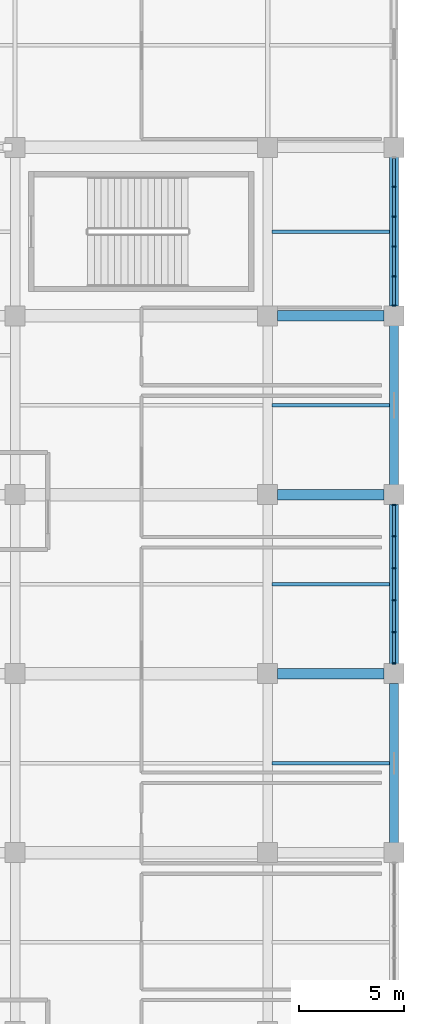
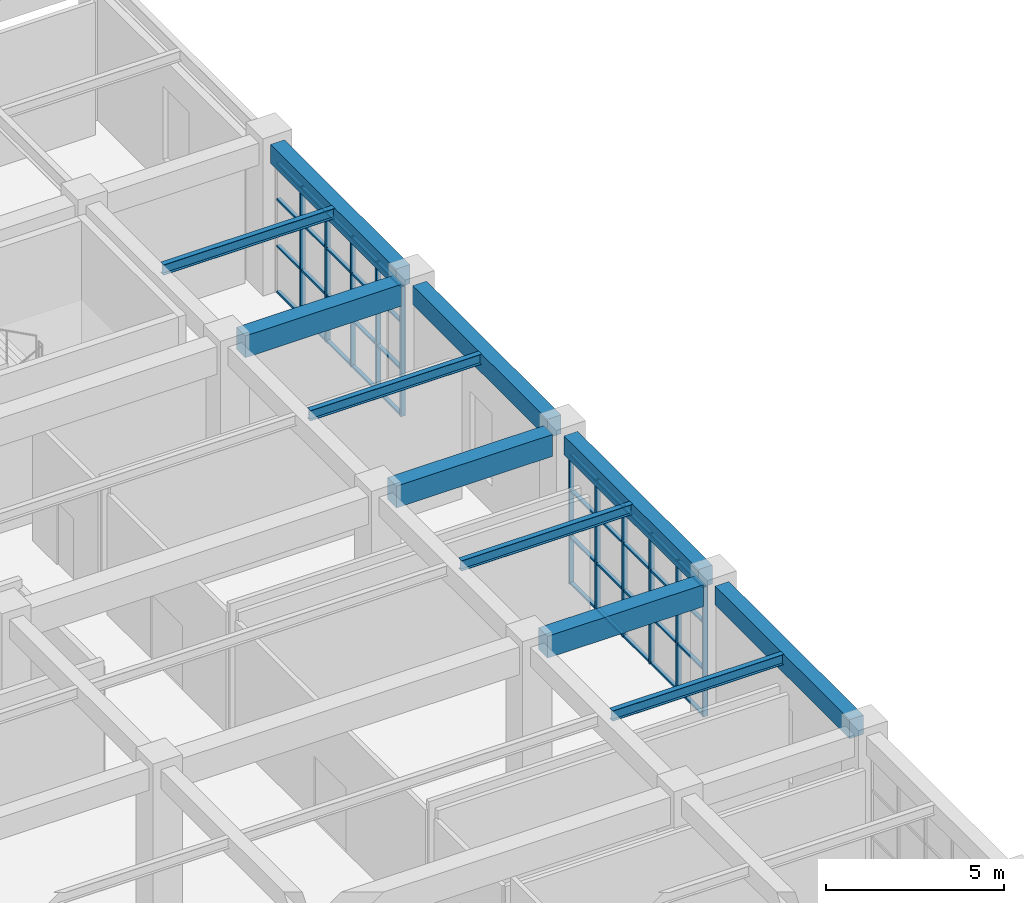
# One storey, part 53 of 120: 51 members, 11 beams, 2 elements without a shape of their own.
"""IFC4 building model written with IfcOpenShell, lengths in metres."""

from ifc_helpers import new_model, si_unit, direction, frame, origin, origin_2d, place, context, subcontext, project, spatial, rectangle, i_section, extrude, material, material_profile, profile_set, type_object, element, aggregate, save


model = new_model("IFC4")

# Units and contexts
model_context = context("Model", 3, precision=1e-05, world=origin(), true_north=direction((0.0, 1.0)))
body_context = subcontext(model_context, "Body", "Model", "MODEL_VIEW")
ifc_project = project(units=[si_unit("LENGTHUNIT", "METRE"), si_unit("AREAUNIT", "SQUARE_METRE"), si_unit("VOLUMEUNIT", "CUBIC_METRE"), si_unit("PLANEANGLEUNIT", "RADIAN"), si_unit("MASSUNIT", "GRAM", prefix="KILO")], contexts=[model_context])

# Site, building, storey
site_placement = place(None, origin())
site = spatial("IfcSite", under=ifc_project, at=site_placement, CompositionType="ELEMENT")
building_placement = place(site_placement, origin())
building = spatial("IfcBuilding", under=site, at=building_placement, Name="Cuetzalor Civic Arena", CompositionType="ELEMENT")
storey_placement = place(building_placement, frame((0.0, 0.0, 6.0)))
storey = spatial("IfcBuildingStorey", under=building, at=storey_placement, Name="L01", CompositionType="ELEMENT", Elevation=6.0)

# Beams
ifc_material_1 = material(Name="Concrete C40/50", Category="concrete")
ifc_material_profile_1 = material_profile(ifc_material_1, rectangle(XDim=0.5, YDim=0.75, at=origin_2d()), Name="RC 500x750")
ifc_profile_set_1 = profile_set([ifc_material_profile_1], Name="Concrete C40/50")
beam_type_1 = type_object("IfcBeamType", Name="ConcreteFrameBeam_500x750", PredefinedType="BEAM", material=ifc_profile_set_1)
for number, where, z_axis, x_axis, name in (
    (1, (76.465087890625, 0.0, 4.7451171875), (1.0, 0.0, 0.0), (0.0, 1.0, 0.0), "Frame Girder V4E-L01-X0446"),
    (2, (76.465087890625, 8.5, 4.7451171875), (1.0, 0.0, 0.0), (0.0, 1.0, 0.0), "Frame Girder V4E-L01-X0449"),
    (3, (76.465087890625, 17.0, 4.7451171875), (1.0, 0.0, 0.0), (0.0, 1.0, 0.0), "Frame Girder V4E-L01-X0452"),
):
    element("IfcBeam", number, at=place(storey_placement, frame(where, z_axis=z_axis, x_axis=x_axis)), inside=storey, type_object=beam_type_1, Name=name, PredefinedType="BEAM", context=body_context, shape_type="SweptSolid", body=[
        extrude(rectangle(XDim=0.5, YDim=0.75, at=origin_2d()), origin(), (0.0, 0.0, 1.0), 5.06982421875),
    ])
ifc_material_2 = material(Name="Concrete C40/50", Category="concrete")
ifc_material_profile_2 = material_profile(ifc_material_2, rectangle(XDim=0.449951171875, YDim=0.64990234375, at=origin_2d()), Name="RC 450x650")
ifc_profile_set_2 = profile_set([ifc_material_profile_2], Name="Concrete C40/50")
beam_type_2 = type_object("IfcBeamType", Name="ConcreteTieBeam_450x650", PredefinedType="BEAM", material=ifc_profile_set_2)
for number, where, z_axis, x_axis, name in (
    (4, (82.0, -8.034912109375, 4.794921875), (0.0, 1.0, 0.0), (-1.0, 0.0, 0.0), "Frame Girder V4E-L01-Y0496"),
    (5, (82.0, 0.465087890625, 4.794921875), (0.0, 1.0, 0.0), (-1.0, 0.0, 0.0), "Frame Girder V4E-L01-Y0497"),
    (6, (82.0, 8.965087890625, 4.794921875), (0.0, 1.0, 0.0), (-1.0, 0.0, 0.0), "Frame Girder V4E-L01-Y0498"),
):
    element("IfcBeam", number, at=place(storey_placement, frame(where, z_axis=z_axis, x_axis=x_axis)), inside=storey, type_object=beam_type_2, Name=name, PredefinedType="BEAM", context=body_context, shape_type="SweptSolid", body=[
        extrude(rectangle(XDim=0.449951171875, YDim=0.64990234375, at=origin_2d()), origin(), (0.0, 0.0, 1.0), 7.56982421875),
    ])
beam_placement = place(storey_placement, frame((82.0, 17.465087890625, 4.794921875), z_axis=(0.0, 1.0, 0.0), x_axis=(-1.0, 0.0, 0.0)))
element("IfcBeam", 7, at=beam_placement, inside=storey, type_object=beam_type_2, Name="Frame Girder V4E-L01-Y0499", PredefinedType="BEAM", context=body_context, shape_type="SweptSolid", body=[
    extrude(rectangle(XDim=0.449951171875, YDim=0.64990234375, at=origin_2d()), origin(), (0.0, 0.0, 1.0), 7.06982421875),
])

# Curtain wall, members
ifc_material_3 = material(Name="Anodised dark bronze aluminium and low-E solar glass", Category="aluminium")
curtain_wall_type_1 = type_object("IfcCurtainWallType", Name="UnitisedCW_7600x4450", PredefinedType="USERDEFINED", material=ifc_material_3)
curtain_wall_1_placement = place(storey_placement, origin())
curtain_wall_1 = element("IfcCurtainWall", 8, at=curtain_wall_1_placement, inside=storey, type_object=curtain_wall_type_1, Name="V4E Suite Viewing Curtain Wall L01-138", ObjectType="UNITISED CURTAIN WALL", PredefinedType="USERDEFINED")
ifc_material_4 = material(Name="Anodised dark bronze aluminium", Category="aluminium")
ifc_material_profile_3 = material_profile(ifc_material_4, rectangle(XDim=0.06494140625, YDim=0.14990234375, at=origin_2d()), Name="ALU MULLION 65x150")
ifc_profile_set_3 = profile_set([ifc_material_profile_3], Name="Anodised dark bronze aluminium")
member_type_1 = type_object("IfcMemberType", Name="CurtainWallMullion_60x150", PredefinedType="MULLION", material=ifc_profile_set_3)
member_1_placement = place(storey_placement, frame((82.0, 8.010498046875, 0.0), z_axis=(0.0, 0.0, 1.0), x_axis=(0.0, -1.0, 0.0)))
member_1 = element("IfcMember", 9, at=member_1_placement, type_object=member_type_1, Name="CW-38 mullion 1", PredefinedType="MULLION", context=body_context, shape_type="SweptSolid", body=[
    extrude(rectangle(XDim=0.06494140625, YDim=0.14990234375, at=origin_2d()), origin(), (0.0, 0.0, 1.0), 4.4599609375),
])
member_2_placement = place(storey_placement, frame((82.0, 6.52587890625, 0.0), z_axis=(0.0, 0.0, 1.0), x_axis=(0.0, -1.0, 0.0)))
member_2 = element("IfcMember", 10, at=member_2_placement, type_object=member_type_1, Name="CW-38 mullion 2", PredefinedType="MULLION", context=body_context, shape_type="SweptSolid", body=[
    extrude(rectangle(XDim=0.06494140625, YDim=0.14990234375, at=origin_2d()), origin(), (0.0, 0.0, 1.0), 4.4599609375),
])
member_3_placement = place(storey_placement, frame((82.0, 5.008544921875, 0.0), z_axis=(0.0, 0.0, 1.0), x_axis=(0.0, -1.0, 0.0)))
member_3 = element("IfcMember", 11, at=member_3_placement, type_object=member_type_1, Name="CW-38 mullion 3", PredefinedType="MULLION", context=body_context, shape_type="SweptSolid", body=[
    extrude(rectangle(XDim=0.06494140625, YDim=0.14990234375, at=origin_2d()), origin(), (0.0, 0.0, 1.0), 4.4599609375),
])
member_4_placement = place(storey_placement, frame((82.0, 3.491455078125, 0.0), z_axis=(0.0, 0.0, 1.0), x_axis=(0.0, -1.0, 0.0)))
member_4 = element("IfcMember", 12, at=member_4_placement, type_object=member_type_1, Name="CW-38 mullion 4", PredefinedType="MULLION", context=body_context, shape_type="SweptSolid", body=[
    extrude(rectangle(XDim=0.06494140625, YDim=0.14990234375, at=origin_2d()), origin(), (0.0, 0.0, 1.0), 4.4599609375),
])
member_5_placement = place(storey_placement, frame((82.0, 1.97412109375, 0.0), z_axis=(0.0, 0.0, 1.0), x_axis=(0.0, -1.0, 0.0)))
member_5 = element("IfcMember", 13, at=member_5_placement, type_object=member_type_1, Name="CW-38 mullion 5", PredefinedType="MULLION", context=body_context, shape_type="SweptSolid", body=[
    extrude(rectangle(XDim=0.06494140625, YDim=0.14990234375, at=origin_2d()), origin(), (0.0, 0.0, 1.0), 4.4599609375),
])
member_6_placement = place(storey_placement, frame((82.0, 0.489501953125, 0.0), z_axis=(0.0, 0.0, 1.0), x_axis=(0.0, -1.0, 0.0)))
member_6 = element("IfcMember", 14, at=member_6_placement, type_object=member_type_1, Name="CW-38 mullion 6", PredefinedType="MULLION", context=body_context, shape_type="SweptSolid", body=[
    extrude(rectangle(XDim=0.06494140625, YDim=0.14990234375, at=origin_2d()), origin(), (0.0, 0.0, 1.0), 4.4599609375),
])

ifc_material_5 = material(Name="Anodised dark bronze aluminium and low-E solar glass", Category="aluminium")
curtain_wall_type_2 = type_object("IfcCurtainWallType", Name="UnitisedCW_7100x4450", PredefinedType="USERDEFINED", material=ifc_material_5)
curtain_wall_2_placement = place(storey_placement, origin())
curtain_wall_2 = element("IfcCurtainWall", 15, at=curtain_wall_2_placement, inside=storey, type_object=curtain_wall_type_2, Name="V4E Suite Viewing Curtain Wall L01-139", ObjectType="UNITISED CURTAIN WALL", PredefinedType="USERDEFINED")
member_7_placement = place(storey_placement, frame((82.0, 23.125732421875, 0.0), z_axis=(0.0, 0.0, 1.0), x_axis=(0.0, -1.0, 0.0)))
member_7 = element("IfcMember", 16, at=member_7_placement, type_object=member_type_1, Name="CW-39 mullion 2", PredefinedType="MULLION", context=body_context, shape_type="SweptSolid", body=[
    extrude(rectangle(XDim=0.06494140625, YDim=0.14990234375, at=origin_2d()), origin(), (0.0, 0.0, 1.0), 4.4599609375),
])
member_8_placement = place(storey_placement, frame((82.0, 21.70849609375, 0.0), z_axis=(0.0, 0.0, 1.0), x_axis=(0.0, -1.0, 0.0)))
member_8 = element("IfcMember", 17, at=member_8_placement, type_object=member_type_1, Name="CW-39 mullion 3", PredefinedType="MULLION", context=body_context, shape_type="SweptSolid", body=[
    extrude(rectangle(XDim=0.06494140625, YDim=0.14990234375, at=origin_2d()), origin(), (0.0, 0.0, 1.0), 4.4599609375),
])
member_9_placement = place(storey_placement, frame((82.0, 20.29150390625, 0.0), z_axis=(0.0, 0.0, 1.0), x_axis=(0.0, -1.0, 0.0)))
member_9 = element("IfcMember", 18, at=member_9_placement, type_object=member_type_1, Name="CW-39 mullion 4", PredefinedType="MULLION", context=body_context, shape_type="SweptSolid", body=[
    extrude(rectangle(XDim=0.06494140625, YDim=0.14990234375, at=origin_2d()), origin(), (0.0, 0.0, 1.0), 4.4599609375),
])
member_10_placement = place(storey_placement, frame((82.0, 18.874267578125, 0.0), z_axis=(0.0, 0.0, 1.0), x_axis=(0.0, -1.0, 0.0)))
member_10 = element("IfcMember", 19, at=member_10_placement, type_object=member_type_1, Name="CW-39 mullion 5", PredefinedType="MULLION", context=body_context, shape_type="SweptSolid", body=[
    extrude(rectangle(XDim=0.06494140625, YDim=0.14990234375, at=origin_2d()), origin(), (0.0, 0.0, 1.0), 4.4599609375),
])
member_11_placement = place(storey_placement, frame((82.0, 17.489501953125, 0.0), z_axis=(0.0, 0.0, 1.0), x_axis=(0.0, -1.0, 0.0)))
member_11 = element("IfcMember", 20, at=member_11_placement, type_object=member_type_1, Name="CW-39 mullion 6", PredefinedType="MULLION", context=body_context, shape_type="SweptSolid", body=[
    extrude(rectangle(XDim=0.06494140625, YDim=0.14990234375, at=origin_2d()), origin(), (0.0, 0.0, 1.0), 4.4599609375),
])

# Member
ifc_material_6 = material(Name="Anodised dark bronze aluminium", Category="aluminium")
ifc_material_profile_4 = material_profile(ifc_material_6, rectangle(XDim=0.1201171875, YDim=0.06494140625, at=origin_2d()), Name="ALU TRANSOM 65x120")
ifc_profile_set_4 = profile_set([ifc_material_profile_4], Name="Anodised dark bronze aluminium")
member_type_2 = type_object("IfcMemberType", Name="CurtainWallTransom_60x120", PredefinedType="USERDEFINED", material=ifc_profile_set_4)
member_12_placement = place(storey_placement, frame((82.0, 7.97802734375, 0.032470703125), z_axis=(0.0, -1.0, 0.0), x_axis=(1.0, 0.0, 0.0)))
member_12 = element("IfcMember", 21, at=member_12_placement, type_object=member_type_2, Name="CW-38 transom 1.1", ObjectType="TRANSOM", PredefinedType="USERDEFINED", context=body_context, shape_type="SweptSolid", body=[
    extrude(rectangle(XDim=0.1201171875, YDim=0.06494140625, at=origin_2d()), origin(), (0.0, 0.0, 1.0), 1.419677734375),
])

member_13_placement = place(storey_placement, frame((82.0, 7.97802734375, 1.60595703125), z_axis=(0.0, -1.0, 0.0), x_axis=(1.0, 0.0, 0.0)))
member_13 = element("IfcMember", 22, at=member_13_placement, type_object=member_type_2, Name="CW-38 transom 1.2", ObjectType="TRANSOM", PredefinedType="USERDEFINED", context=body_context, shape_type="SweptSolid", body=[
    extrude(rectangle(XDim=0.1201171875, YDim=0.06494140625, at=origin_2d()), origin(), (0.0, 0.0, 1.0), 1.419677734375),
])

member_14_placement = place(storey_placement, frame((82.0, 7.97802734375, 3.2109375), z_axis=(0.0, -1.0, 0.0), x_axis=(1.0, 0.0, 0.0)))
member_14 = element("IfcMember", 23, at=member_14_placement, type_object=member_type_2, Name="CW-38 transom 1.3", ObjectType="TRANSOM", PredefinedType="USERDEFINED", context=body_context, shape_type="SweptSolid", body=[
    extrude(rectangle(XDim=0.1201171875, YDim=0.06494140625, at=origin_2d()), origin(), (0.0, 0.0, 1.0), 1.419677734375),
])

member_15_placement = place(storey_placement, frame((82.0, 7.97802734375, 4.427490234375), z_axis=(0.0, -1.0, 0.0), x_axis=(1.0, 0.0, 0.0)))
member_15 = element("IfcMember", 24, at=member_15_placement, type_object=member_type_2, Name="CW-38 transom 1.4", ObjectType="TRANSOM", PredefinedType="USERDEFINED", context=body_context, shape_type="SweptSolid", body=[
    extrude(rectangle(XDim=0.1201171875, YDim=0.06494140625, at=origin_2d()), origin(), (0.0, 0.0, 1.0), 1.419677734375),
])

member_16_placement = place(storey_placement, frame((82.0, 6.493408203125, 0.032470703125), z_axis=(0.0, -1.0, 0.0), x_axis=(1.0, 0.0, 0.0)))
member_16 = element("IfcMember", 25, at=member_16_placement, type_object=member_type_2, Name="CW-38 transom 2.1", ObjectType="TRANSOM", PredefinedType="USERDEFINED", context=body_context, shape_type="SweptSolid", body=[
    extrude(rectangle(XDim=0.1201171875, YDim=0.06494140625, at=origin_2d()), origin(), (0.0, 0.0, 1.0), 1.452392578125),
])

member_17_placement = place(storey_placement, frame((82.0, 6.493408203125, 1.60595703125), z_axis=(0.0, -1.0, 0.0), x_axis=(1.0, 0.0, 0.0)))
member_17 = element("IfcMember", 26, at=member_17_placement, type_object=member_type_2, Name="CW-38 transom 2.2", ObjectType="TRANSOM", PredefinedType="USERDEFINED", context=body_context, shape_type="SweptSolid", body=[
    extrude(rectangle(XDim=0.1201171875, YDim=0.06494140625, at=origin_2d()), origin(), (0.0, 0.0, 1.0), 1.452392578125),
])

member_18_placement = place(storey_placement, frame((82.0, 6.493408203125, 3.2109375), z_axis=(0.0, -1.0, 0.0), x_axis=(1.0, 0.0, 0.0)))
member_18 = element("IfcMember", 27, at=member_18_placement, type_object=member_type_2, Name="CW-38 transom 2.3", ObjectType="TRANSOM", PredefinedType="USERDEFINED", context=body_context, shape_type="SweptSolid", body=[
    extrude(rectangle(XDim=0.1201171875, YDim=0.06494140625, at=origin_2d()), origin(), (0.0, 0.0, 1.0), 1.452392578125),
])

member_19_placement = place(storey_placement, frame((82.0, 6.493408203125, 4.427490234375), z_axis=(0.0, -1.0, 0.0), x_axis=(1.0, 0.0, 0.0)))
member_19 = element("IfcMember", 28, at=member_19_placement, type_object=member_type_2, Name="CW-38 transom 2.4", ObjectType="TRANSOM", PredefinedType="USERDEFINED", context=body_context, shape_type="SweptSolid", body=[
    extrude(rectangle(XDim=0.1201171875, YDim=0.06494140625, at=origin_2d()), origin(), (0.0, 0.0, 1.0), 1.452392578125),
])

member_20_placement = place(storey_placement, frame((82.0, 4.97607421875, 0.032470703125), z_axis=(0.0, -1.0, 0.0), x_axis=(1.0, 0.0, 0.0)))
member_20 = element("IfcMember", 29, at=member_20_placement, type_object=member_type_2, Name="CW-38 transom 3.1", ObjectType="TRANSOM", PredefinedType="USERDEFINED", context=body_context, shape_type="SweptSolid", body=[
    extrude(rectangle(XDim=0.1201171875, YDim=0.06494140625, at=origin_2d()), origin(), (0.0, 0.0, 1.0), 1.4521484375),
])

member_21_placement = place(storey_placement, frame((82.0, 4.97607421875, 1.60595703125), z_axis=(0.0, -1.0, 0.0), x_axis=(1.0, 0.0, 0.0)))
member_21 = element("IfcMember", 30, at=member_21_placement, type_object=member_type_2, Name="CW-38 transom 3.2", ObjectType="TRANSOM", PredefinedType="USERDEFINED", context=body_context, shape_type="SweptSolid", body=[
    extrude(rectangle(XDim=0.1201171875, YDim=0.06494140625, at=origin_2d()), origin(), (0.0, 0.0, 1.0), 1.4521484375),
])

member_22_placement = place(storey_placement, frame((82.0, 4.97607421875, 3.2109375), z_axis=(0.0, -1.0, 0.0), x_axis=(1.0, 0.0, 0.0)))
member_22 = element("IfcMember", 31, at=member_22_placement, type_object=member_type_2, Name="CW-38 transom 3.3", ObjectType="TRANSOM", PredefinedType="USERDEFINED", context=body_context, shape_type="SweptSolid", body=[
    extrude(rectangle(XDim=0.1201171875, YDim=0.06494140625, at=origin_2d()), origin(), (0.0, 0.0, 1.0), 1.4521484375),
])

member_23_placement = place(storey_placement, frame((82.0, 4.97607421875, 4.427490234375), z_axis=(0.0, -1.0, 0.0), x_axis=(1.0, 0.0, 0.0)))
member_23 = element("IfcMember", 32, at=member_23_placement, type_object=member_type_2, Name="CW-38 transom 3.4", ObjectType="TRANSOM", PredefinedType="USERDEFINED", context=body_context, shape_type="SweptSolid", body=[
    extrude(rectangle(XDim=0.1201171875, YDim=0.06494140625, at=origin_2d()), origin(), (0.0, 0.0, 1.0), 1.4521484375),
])

member_24_placement = place(storey_placement, frame((82.0, 3.458984375, 0.032470703125), z_axis=(0.0, -1.0, 0.0), x_axis=(1.0, 0.0, 0.0)))
member_24 = element("IfcMember", 33, at=member_24_placement, type_object=member_type_2, Name="CW-38 transom 4.1", ObjectType="TRANSOM", PredefinedType="USERDEFINED", context=body_context, shape_type="SweptSolid", body=[
    extrude(rectangle(XDim=0.1201171875, YDim=0.06494140625, at=origin_2d()), origin(), (0.0, 0.0, 1.0), 1.452392578125),
])

member_25_placement = place(storey_placement, frame((82.0, 3.458984375, 1.60595703125), z_axis=(0.0, -1.0, 0.0), x_axis=(1.0, 0.0, 0.0)))
member_25 = element("IfcMember", 34, at=member_25_placement, type_object=member_type_2, Name="CW-38 transom 4.2", ObjectType="TRANSOM", PredefinedType="USERDEFINED", context=body_context, shape_type="SweptSolid", body=[
    extrude(rectangle(XDim=0.1201171875, YDim=0.06494140625, at=origin_2d()), origin(), (0.0, 0.0, 1.0), 1.452392578125),
])

member_26_placement = place(storey_placement, frame((82.0, 3.458984375, 3.2109375), z_axis=(0.0, -1.0, 0.0), x_axis=(1.0, 0.0, 0.0)))
member_26 = element("IfcMember", 35, at=member_26_placement, type_object=member_type_2, Name="CW-38 transom 4.3", ObjectType="TRANSOM", PredefinedType="USERDEFINED", context=body_context, shape_type="SweptSolid", body=[
    extrude(rectangle(XDim=0.1201171875, YDim=0.06494140625, at=origin_2d()), origin(), (0.0, 0.0, 1.0), 1.452392578125),
])

member_27_placement = place(storey_placement, frame((82.0, 3.458984375, 4.427490234375), z_axis=(0.0, -1.0, 0.0), x_axis=(1.0, 0.0, 0.0)))
member_27 = element("IfcMember", 36, at=member_27_placement, type_object=member_type_2, Name="CW-38 transom 4.4", ObjectType="TRANSOM", PredefinedType="USERDEFINED", context=body_context, shape_type="SweptSolid", body=[
    extrude(rectangle(XDim=0.1201171875, YDim=0.06494140625, at=origin_2d()), origin(), (0.0, 0.0, 1.0), 1.452392578125),
])

member_28_placement = place(storey_placement, frame((82.0, 1.941650390625, 0.032470703125), z_axis=(0.0, -1.0, 0.0), x_axis=(1.0, 0.0, 0.0)))
member_28 = element("IfcMember", 37, at=member_28_placement, type_object=member_type_2, Name="CW-38 transom 5.1", ObjectType="TRANSOM", PredefinedType="USERDEFINED", context=body_context, shape_type="SweptSolid", body=[
    extrude(rectangle(XDim=0.1201171875, YDim=0.06494140625, at=origin_2d()), origin(), (0.0, 0.0, 1.0), 1.419677734375),
])

member_29_placement = place(storey_placement, frame((82.0, 1.941650390625, 1.60595703125), z_axis=(0.0, -1.0, 0.0), x_axis=(1.0, 0.0, 0.0)))
member_29 = element("IfcMember", 38, at=member_29_placement, type_object=member_type_2, Name="CW-38 transom 5.2", ObjectType="TRANSOM", PredefinedType="USERDEFINED", context=body_context, shape_type="SweptSolid", body=[
    extrude(rectangle(XDim=0.1201171875, YDim=0.06494140625, at=origin_2d()), origin(), (0.0, 0.0, 1.0), 1.419677734375),
])

member_30_placement = place(storey_placement, frame((82.0, 1.941650390625, 3.2109375), z_axis=(0.0, -1.0, 0.0), x_axis=(1.0, 0.0, 0.0)))
member_30 = element("IfcMember", 39, at=member_30_placement, type_object=member_type_2, Name="CW-38 transom 5.3", ObjectType="TRANSOM", PredefinedType="USERDEFINED", context=body_context, shape_type="SweptSolid", body=[
    extrude(rectangle(XDim=0.1201171875, YDim=0.06494140625, at=origin_2d()), origin(), (0.0, 0.0, 1.0), 1.419677734375),
])

member_31_placement = place(storey_placement, frame((82.0, 1.941650390625, 4.427490234375), z_axis=(0.0, -1.0, 0.0), x_axis=(1.0, 0.0, 0.0)))
member_31 = element("IfcMember", 40, at=member_31_placement, type_object=member_type_2, Name="CW-38 transom 5.4", ObjectType="TRANSOM", PredefinedType="USERDEFINED", context=body_context, shape_type="SweptSolid", body=[
    extrude(rectangle(XDim=0.1201171875, YDim=0.06494140625, at=origin_2d()), origin(), (0.0, 0.0, 1.0), 1.419677734375),
])

aggregate(curtain_wall_1, [member_1, member_2, member_3, member_4, member_5, member_6, member_12, member_13, member_14, member_15, member_16, member_17, member_18, member_19, member_20, member_21, member_22, member_23, member_24, member_25, member_26, member_27, member_28, member_29, member_30, member_31])

member_32_placement = place(storey_placement, frame((82.0, 24.47802734375, 0.032470703125), z_axis=(0.0, -1.0, 0.0), x_axis=(1.0, 0.0, 0.0)))
member_32 = element("IfcMember", 41, at=member_32_placement, type_object=member_type_2, Name="CW-39 transom 1.1", ObjectType="TRANSOM", PredefinedType="USERDEFINED", context=body_context, shape_type="SweptSolid", body=[
    extrude(rectangle(XDim=0.1201171875, YDim=0.06494140625, at=origin_2d()), origin(), (0.0, 0.0, 1.0), 1.31982421875),
])

member_33_placement = place(storey_placement, frame((82.0, 24.47802734375, 1.60595703125), z_axis=(0.0, -1.0, 0.0), x_axis=(1.0, 0.0, 0.0)))
member_33 = element("IfcMember", 42, at=member_33_placement, type_object=member_type_2, Name="CW-39 transom 1.2", ObjectType="TRANSOM", PredefinedType="USERDEFINED", context=body_context, shape_type="SweptSolid", body=[
    extrude(rectangle(XDim=0.1201171875, YDim=0.06494140625, at=origin_2d()), origin(), (0.0, 0.0, 1.0), 1.31982421875),
])

member_34_placement = place(storey_placement, frame((82.0, 24.47802734375, 3.2109375), z_axis=(0.0, -1.0, 0.0), x_axis=(1.0, 0.0, 0.0)))
member_34 = element("IfcMember", 43, at=member_34_placement, type_object=member_type_2, Name="CW-39 transom 1.3", ObjectType="TRANSOM", PredefinedType="USERDEFINED", context=body_context, shape_type="SweptSolid", body=[
    extrude(rectangle(XDim=0.1201171875, YDim=0.06494140625, at=origin_2d()), origin(), (0.0, 0.0, 1.0), 1.31982421875),
])

member_35_placement = place(storey_placement, frame((82.0, 24.47802734375, 4.427490234375), z_axis=(0.0, -1.0, 0.0), x_axis=(1.0, 0.0, 0.0)))
member_35 = element("IfcMember", 44, at=member_35_placement, type_object=member_type_2, Name="CW-39 transom 1.4", ObjectType="TRANSOM", PredefinedType="USERDEFINED", context=body_context, shape_type="SweptSolid", body=[
    extrude(rectangle(XDim=0.1201171875, YDim=0.06494140625, at=origin_2d()), origin(), (0.0, 0.0, 1.0), 1.31982421875),
])

member_36_placement = place(storey_placement, frame((82.0, 23.09326171875, 0.032470703125), z_axis=(0.0, -1.0, 0.0), x_axis=(1.0, 0.0, 0.0)))
member_36 = element("IfcMember", 45, at=member_36_placement, type_object=member_type_2, Name="CW-39 transom 2.1", ObjectType="TRANSOM", PredefinedType="USERDEFINED", context=body_context, shape_type="SweptSolid", body=[
    extrude(rectangle(XDim=0.1201171875, YDim=0.06494140625, at=origin_2d()), origin(), (0.0, 0.0, 1.0), 1.35205078125),
])

member_37_placement = place(storey_placement, frame((82.0, 23.09326171875, 1.60595703125), z_axis=(0.0, -1.0, 0.0), x_axis=(1.0, 0.0, 0.0)))
member_37 = element("IfcMember", 46, at=member_37_placement, type_object=member_type_2, Name="CW-39 transom 2.2", ObjectType="TRANSOM", PredefinedType="USERDEFINED", context=body_context, shape_type="SweptSolid", body=[
    extrude(rectangle(XDim=0.1201171875, YDim=0.06494140625, at=origin_2d()), origin(), (0.0, 0.0, 1.0), 1.35205078125),
])

member_38_placement = place(storey_placement, frame((82.0, 23.09326171875, 3.2109375), z_axis=(0.0, -1.0, 0.0), x_axis=(1.0, 0.0, 0.0)))
member_38 = element("IfcMember", 47, at=member_38_placement, type_object=member_type_2, Name="CW-39 transom 2.3", ObjectType="TRANSOM", PredefinedType="USERDEFINED", context=body_context, shape_type="SweptSolid", body=[
    extrude(rectangle(XDim=0.1201171875, YDim=0.06494140625, at=origin_2d()), origin(), (0.0, 0.0, 1.0), 1.35205078125),
])

member_39_placement = place(storey_placement, frame((82.0, 23.09326171875, 4.427490234375), z_axis=(0.0, -1.0, 0.0), x_axis=(1.0, 0.0, 0.0)))
member_39 = element("IfcMember", 48, at=member_39_placement, type_object=member_type_2, Name="CW-39 transom 2.4", ObjectType="TRANSOM", PredefinedType="USERDEFINED", context=body_context, shape_type="SweptSolid", body=[
    extrude(rectangle(XDim=0.1201171875, YDim=0.06494140625, at=origin_2d()), origin(), (0.0, 0.0, 1.0), 1.35205078125),
])

member_40_placement = place(storey_placement, frame((82.0, 21.676025390625, 0.032470703125), z_axis=(0.0, -1.0, 0.0), x_axis=(1.0, 0.0, 0.0)))
member_40 = element("IfcMember", 49, at=member_40_placement, type_object=member_type_2, Name="CW-39 transom 3.1", ObjectType="TRANSOM", PredefinedType="USERDEFINED", context=body_context, shape_type="SweptSolid", body=[
    extrude(rectangle(XDim=0.1201171875, YDim=0.06494140625, at=origin_2d()), origin(), (0.0, 0.0, 1.0), 1.35205078125),
])

member_41_placement = place(storey_placement, frame((82.0, 21.676025390625, 1.60595703125), z_axis=(0.0, -1.0, 0.0), x_axis=(1.0, 0.0, 0.0)))
member_41 = element("IfcMember", 50, at=member_41_placement, type_object=member_type_2, Name="CW-39 transom 3.2", ObjectType="TRANSOM", PredefinedType="USERDEFINED", context=body_context, shape_type="SweptSolid", body=[
    extrude(rectangle(XDim=0.1201171875, YDim=0.06494140625, at=origin_2d()), origin(), (0.0, 0.0, 1.0), 1.35205078125),
])

member_42_placement = place(storey_placement, frame((82.0, 21.676025390625, 3.2109375), z_axis=(0.0, -1.0, 0.0), x_axis=(1.0, 0.0, 0.0)))
member_42 = element("IfcMember", 51, at=member_42_placement, type_object=member_type_2, Name="CW-39 transom 3.3", ObjectType="TRANSOM", PredefinedType="USERDEFINED", context=body_context, shape_type="SweptSolid", body=[
    extrude(rectangle(XDim=0.1201171875, YDim=0.06494140625, at=origin_2d()), origin(), (0.0, 0.0, 1.0), 1.35205078125),
])

member_43_placement = place(storey_placement, frame((82.0, 21.676025390625, 4.427490234375), z_axis=(0.0, -1.0, 0.0), x_axis=(1.0, 0.0, 0.0)))
member_43 = element("IfcMember", 52, at=member_43_placement, type_object=member_type_2, Name="CW-39 transom 3.4", ObjectType="TRANSOM", PredefinedType="USERDEFINED", context=body_context, shape_type="SweptSolid", body=[
    extrude(rectangle(XDim=0.1201171875, YDim=0.06494140625, at=origin_2d()), origin(), (0.0, 0.0, 1.0), 1.35205078125),
])

member_44_placement = place(storey_placement, frame((82.0, 20.2587890625, 0.032470703125), z_axis=(0.0, -1.0, 0.0), x_axis=(1.0, 0.0, 0.0)))
member_44 = element("IfcMember", 53, at=member_44_placement, type_object=member_type_2, Name="CW-39 transom 4.1", ObjectType="TRANSOM", PredefinedType="USERDEFINED", context=body_context, shape_type="SweptSolid", body=[
    extrude(rectangle(XDim=0.1201171875, YDim=0.06494140625, at=origin_2d()), origin(), (0.0, 0.0, 1.0), 1.35205078125),
])

member_45_placement = place(storey_placement, frame((82.0, 20.2587890625, 1.60595703125), z_axis=(0.0, -1.0, 0.0), x_axis=(1.0, 0.0, 0.0)))
member_45 = element("IfcMember", 54, at=member_45_placement, type_object=member_type_2, Name="CW-39 transom 4.2", ObjectType="TRANSOM", PredefinedType="USERDEFINED", context=body_context, shape_type="SweptSolid", body=[
    extrude(rectangle(XDim=0.1201171875, YDim=0.06494140625, at=origin_2d()), origin(), (0.0, 0.0, 1.0), 1.35205078125),
])

member_46_placement = place(storey_placement, frame((82.0, 20.2587890625, 3.2109375), z_axis=(0.0, -1.0, 0.0), x_axis=(1.0, 0.0, 0.0)))
member_46 = element("IfcMember", 55, at=member_46_placement, type_object=member_type_2, Name="CW-39 transom 4.3", ObjectType="TRANSOM", PredefinedType="USERDEFINED", context=body_context, shape_type="SweptSolid", body=[
    extrude(rectangle(XDim=0.1201171875, YDim=0.06494140625, at=origin_2d()), origin(), (0.0, 0.0, 1.0), 1.35205078125),
])

member_47_placement = place(storey_placement, frame((82.0, 20.2587890625, 4.427490234375), z_axis=(0.0, -1.0, 0.0), x_axis=(1.0, 0.0, 0.0)))
member_47 = element("IfcMember", 56, at=member_47_placement, type_object=member_type_2, Name="CW-39 transom 4.4", ObjectType="TRANSOM", PredefinedType="USERDEFINED", context=body_context, shape_type="SweptSolid", body=[
    extrude(rectangle(XDim=0.1201171875, YDim=0.06494140625, at=origin_2d()), origin(), (0.0, 0.0, 1.0), 1.35205078125),
])

member_48_placement = place(storey_placement, frame((82.0, 18.841796875, 0.032470703125), z_axis=(0.0, -1.0, 0.0), x_axis=(1.0, 0.0, 0.0)))
member_48 = element("IfcMember", 57, at=member_48_placement, type_object=member_type_2, Name="CW-39 transom 5.1", ObjectType="TRANSOM", PredefinedType="USERDEFINED", context=body_context, shape_type="SweptSolid", body=[
    extrude(rectangle(XDim=0.1201171875, YDim=0.06494140625, at=origin_2d()), origin(), (0.0, 0.0, 1.0), 1.31982421875),
])

member_49_placement = place(storey_placement, frame((82.0, 18.841796875, 1.60595703125), z_axis=(0.0, -1.0, 0.0), x_axis=(1.0, 0.0, 0.0)))
member_49 = element("IfcMember", 58, at=member_49_placement, type_object=member_type_2, Name="CW-39 transom 5.2", ObjectType="TRANSOM", PredefinedType="USERDEFINED", context=body_context, shape_type="SweptSolid", body=[
    extrude(rectangle(XDim=0.1201171875, YDim=0.06494140625, at=origin_2d()), origin(), (0.0, 0.0, 1.0), 1.31982421875),
])

member_50_placement = place(storey_placement, frame((82.0, 18.841796875, 3.2109375), z_axis=(0.0, -1.0, 0.0), x_axis=(1.0, 0.0, 0.0)))
member_50 = element("IfcMember", 59, at=member_50_placement, type_object=member_type_2, Name="CW-39 transom 5.3", ObjectType="TRANSOM", PredefinedType="USERDEFINED", context=body_context, shape_type="SweptSolid", body=[
    extrude(rectangle(XDim=0.1201171875, YDim=0.06494140625, at=origin_2d()), origin(), (0.0, 0.0, 1.0), 1.31982421875),
])

member_51_placement = place(storey_placement, frame((82.0, 18.841796875, 4.427490234375), z_axis=(0.0, -1.0, 0.0), x_axis=(1.0, 0.0, 0.0)))
member_51 = element("IfcMember", 60, at=member_51_placement, type_object=member_type_2, Name="CW-39 transom 5.4", ObjectType="TRANSOM", PredefinedType="USERDEFINED", context=body_context, shape_type="SweptSolid", body=[
    extrude(rectangle(XDim=0.1201171875, YDim=0.06494140625, at=origin_2d()), origin(), (0.0, 0.0, 1.0), 1.31982421875),
])

aggregate(curtain_wall_2, [member_7, member_8, member_9, member_10, member_11, member_32, member_33, member_34, member_35, member_36, member_37, member_38, member_39, member_40, member_41, member_42, member_43, member_44, member_45, member_46, member_47, member_48, member_49, member_50, member_51])

# Beams
ifc_material_7 = material(Name="Steel S355", Category="steel")
ifc_material_profile_5 = material_profile(ifc_material_7, i_section(OverallWidth=0.1708984375, OverallDepth=0.35498046875, WebThickness=0.007080078125, FlangeThickness=0.01171875, at=origin_2d()), Name="W360x51")
ifc_profile_set_5 = profile_set([ifc_material_profile_5], Name="Steel S355")
beam_type_3 = type_object("IfcBeamType", Name="SecondaryFloorJoist_W360", PredefinedType="JOIST", material=ifc_profile_set_5)
for number, where, z_axis, x_axis, name in (
    (61, (76.217041015625, -4.25, 4.9423828125), (1.0, 0.0, 0.0), (0.0, 1.0, 0.0), "Secondary Floor Joist V4E-L01-0156"),
    (62, (76.217041015625, 4.25, 4.9423828125), (1.0, 0.0, 0.0), (0.0, 1.0, 0.0), "Secondary Floor Joist V4E-L01-0157"),
    (63, (76.217041015625, 12.75, 4.9423828125), (1.0, 0.0, 0.0), (0.0, 1.0, 0.0), "Secondary Floor Joist V4E-L01-0158"),
    (64, (76.217041015625, 21.0, 4.9423828125), (1.0, 0.0, 0.0), (0.0, 1.0, 0.0), "Secondary Floor Joist V4E-L01-0159"),
):
    element("IfcBeam", number, at=place(storey_placement, frame(where, z_axis=z_axis, x_axis=x_axis)), inside=storey, type_object=beam_type_3, Name=name, PredefinedType="JOIST", context=body_context, shape_type="SweptSolid", body=[
        extrude(i_section(OverallWidth=0.1708984375, OverallDepth=0.35498046875, WebThickness=0.007080078125, FlangeThickness=0.01171875, at=origin_2d()), origin(), (0.0, 0.0, 1.0), 5.56591796875),
    ])

save(model, "model.ifc")
